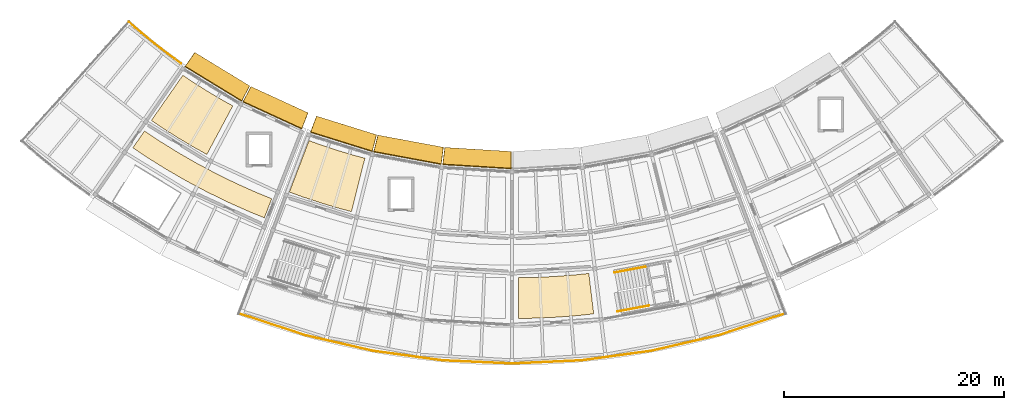
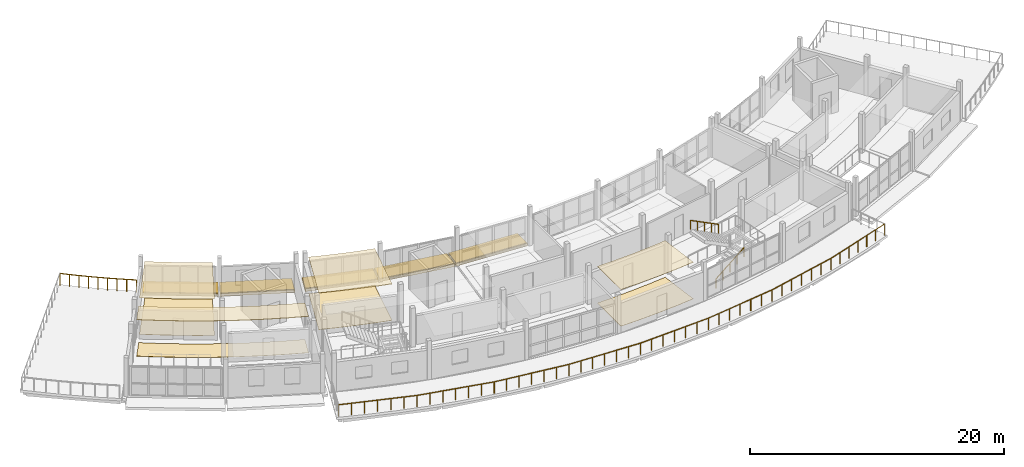
# One storey, part 22 of 24: 13 coverings, 5 shading devices, 4 railings.
"""IFC4 building model written with IfcOpenShell, lengths in metres."""

from ifc_helpers import new_model, si_unit, direction, frame, origin, origin_2d, place, context, subcontext, project, spatial, polyline, circle, outline, extrude, material, layer, layer_set, type_object, element, save


model = new_model("IFC4")

# Units and contexts
model_context = context("Model", 3, precision=1e-05, world=origin(), true_north=direction((0.0, 1.0)))
body_context = subcontext(model_context, "Body", "Model", "MODEL_VIEW")
ifc_project = project(units=[si_unit("LENGTHUNIT", "METRE"), si_unit("AREAUNIT", "SQUARE_METRE"), si_unit("VOLUMEUNIT", "CUBIC_METRE"), si_unit("PLANEANGLEUNIT", "RADIAN"), si_unit("MASSUNIT", "GRAM", prefix="KILO")], contexts=[model_context])

# Site, building, storey
site_placement = place(None, origin())
site = spatial("IfcSite", under=ifc_project, at=site_placement, CompositionType="ELEMENT")
building_placement = place(site_placement, origin())
building = spatial("IfcBuilding", under=site, at=building_placement, Name="Caldaven Crescent School", CompositionType="ELEMENT")
storey_placement = place(building_placement, frame((0.0, 0.0, 15.639892578125)))
storey = spatial("IfcBuildingStorey", under=building, at=storey_placement, Name="L04", CompositionType="ELEMENT", Elevation=15.639892578125)

# Coverings
ifc_material_1 = material(Name="White architectural GFRC precast concrete C35/45 cladding", Category="concrete")
ifc_layer_1 = layer(ifc_material_1, 0.260009765625)
ifc_layer_set_1 = layer_set([ifc_layer_1], Name="White architectural GFRC precast concrete C35/45 cladding")
covering_type_1 = type_object("IfcCoveringType", Name="COV-CLD1", PredefinedType="CLADDING", material=ifc_layer_set_1)
covering_1_placement = place(storey_placement, frame((0.0, 0.0, -0.260009765625)))
element("IfcCovering", 1, at=covering_1_placement, inside=storey, type_object=covering_type_1, Name="CLD-IN-L04-083", PredefinedType="CLADDING", context=body_context, shape_type="SweptSolid", body=[
    extrude(outline(polyline([(70.241943359375, 48.618408203125), (75.707275390625, 46.915771484375), (75.318603515625, 45.36376953125), (69.680419921875, 47.120361328125), (70.241943359375, 48.618408203125)])), origin(), (0.0, 0.0, 1.0), 0.260009765625),
])
covering_2_placement = place(storey_placement, frame((0.0, 0.0, -0.260009765625)))
element("IfcCovering", 2, at=covering_2_placement, inside=storey, type_object=covering_type_1, Name="CLD-IN-L04-084", PredefinedType="CLADDING", context=body_context, shape_type="SweptSolid", body=[
    extrude(outline(polyline([(75.81005859375, 46.89013671875), (81.78076171875, 45.78369140625), (81.584228515625, 44.19580078125), (75.4248046875, 45.33740234375), (75.81005859375, 46.89013671875)])), origin(), (0.0, 0.0, 1.0), 0.260009765625),
])
covering_3_placement = place(storey_placement, frame((0.0, 0.0, -0.260009765625)))
element("IfcCovering", 3, at=covering_3_placement, inside=storey, type_object=covering_type_1, Name="CLD-IN-L04-085", PredefinedType="CLADDING", context=body_context, shape_type="SweptSolid", body=[
    extrude(outline(polyline([(81.885986328125, 45.770751953125), (87.947021484375, 45.400146484375), (87.9453125, 43.800048828125), (81.692626953125, 44.182373046875), (81.885986328125, 45.770751953125)])), origin(), (0.0, 0.0, 1.0), 0.260009765625),
])
ifc_layer_2 = layer(ifc_material_1, 0.260009765625)
ifc_layer_set_2 = layer_set([ifc_layer_2], Name="White architectural GFRC precast concrete C35/45 cladding")
covering_type_2 = type_object("IfcCoveringType", Name="COV-CLD2", PredefinedType="CLADDING", material=ifc_layer_set_2)
covering_4_placement = place(storey_placement, frame((0.0, 0.0, -0.260009765625)))
element("IfcCovering", 4, at=covering_4_placement, inside=storey, type_object=covering_type_2, Name="CLD-IN-L04-079", PredefinedType="CLADDING", context=body_context, shape_type="SweptSolid", body=[
    extrude(outline(polyline([(59.190673828125, 54.402099609375), (64.197998046875, 51.34765625), (63.4453125, 49.935791015625), (58.27978515625, 53.086669921875), (59.190673828125, 54.402099609375)])), origin(), (0.0, 0.0, 1.0), 0.260009765625),
])
covering_5_placement = place(storey_placement, frame((0.0, 0.0, -0.260009765625)))
element("IfcCovering", 5, at=covering_5_placement, inside=storey, type_object=covering_type_2, Name="CLD-IN-L04-081", PredefinedType="CLADDING", context=body_context, shape_type="SweptSolid", body=[
    extrude(outline(polyline([(64.29150390625, 51.298095703125), (69.492431640625, 48.90625), (68.9072265625, 47.4169921875), (63.541748046875, 49.884521484375), (64.29150390625, 51.298095703125)])), origin(), (0.0, 0.0, 1.0), 0.260009765625),
])
ifc_material_2 = material(Name="Perforated Pino Radiata acoustic timber baffle ceiling", Category="wood")
ifc_layer_3 = layer(ifc_material_2, 0.030029296875)
ifc_layer_set_3 = layer_set([ifc_layer_3], Name="Perforated Pino Radiata acoustic timber baffle ceiling")
covering_type_3 = type_object("IfcCoveringType", Name="COV-CLG1", PredefinedType="CEILING", material=ifc_layer_set_3)
covering_6_placement = place(storey_placement, frame((0.0, 0.0, 3.5)))
element("IfcCovering", 6, at=covering_6_placement, inside=storey, type_object=covering_type_3, Name="CLG-L04-184", PredefinedType="CEILING", context=body_context, shape_type="SweptSolid", body=[
    extrude(outline(polyline([(59.024169921875, 51.705810546875), (59.035400390625, 51.698486328125), (60.338623046875, 50.873291015625), (60.349853515625, 50.8662109375), (61.6767578125, 50.07958984375), (61.688232421875, 50.072998046875), (62.64990234375, 49.540771484375), (60.29248046875, 45.131591796875), (59.196533203125, 45.73828125), (57.731689453125, 46.606689453125), (56.29296875, 47.517578125), (55.2548828125, 48.218505859375), (58.11328125, 52.32080078125), (59.024169921875, 51.705810546875)])), origin(), (0.0, 0.0, 1.0), 0.030029296875),
])
covering_7_placement = place(storey_placement, frame((0.0, 0.0, 3.510009765625)))
element("IfcCovering", 7, at=covering_7_placement, inside=storey, type_object=covering_type_3, Name="CLG-L04-192", PredefinedType="CEILING", context=body_context, shape_type="SweptSolid", body=[
    extrude(outline(polyline([(89.960205078125, 33.9609375), (89.973388671875, 33.96142578125), (91.78271484375, 34.04541015625), (91.7958984375, 34.046142578125), (93.60205078125, 34.183349609375), (93.614990234375, 34.1845703125), (94.9755859375, 34.328125), (95.41796875, 30.65478515625), (93.94287109375, 30.4990234375), (92.01513671875, 30.352783203125), (90.083984375, 30.26318359375), (88.600830078125, 30.23779296875), (88.59228515625, 33.937744140625), (89.960205078125, 33.9609375)])), origin(), (0.0, 0.0, 1.0), 0.030029296875),
])
ifc_layer_4 = layer(ifc_material_2, 0.053955078125)
ifc_layer_set_4 = layer_set([ifc_layer_4], Name="Perforated Pino Radiata acoustic timber baffle ceiling")
covering_type_4 = type_object("IfcCoveringType", Name="COV-CLG4", PredefinedType="CEILING", material=ifc_layer_set_4)
covering_8_placement = place(storey_placement, frame((0.0, 0.0, 3.47607421875)))
element("IfcCovering", 8, at=covering_8_placement, inside=storey, type_object=covering_type_4, Name="CLG-L04-183", PredefinedType="CEILING", context=body_context, shape_type="SweptSolid", body=[
    extrude(outline(polyline([(55.91748046875, 46.40185546875), (55.930419921875, 46.3935546875), (57.616455078125, 45.34326171875), (57.629638671875, 45.33544921875), (59.350341796875, 44.343017578125), (59.363525390625, 44.335693359375), (61.116943359375, 43.40185546875), (61.130615234375, 43.39501953125), (62.914306640625, 42.521240234375), (62.92822265625, 42.514892578125), (64.74072265625, 41.7021484375), (64.7548828125, 41.696044921875), (66.18408203125, 41.1123046875), (65.510498046875, 39.37890625), (64.015625, 39.9892578125), (62.131591796875, 40.833984375), (60.27734375, 41.7421875), (58.454833984375, 42.712646484375), (56.66650390625, 43.744140625), (54.9140625, 44.835693359375), (53.5732421875, 45.735595703125), (54.635498046875, 47.26220703125), (55.91748046875, 46.40185546875)])), origin(), (0.0, 0.0, 1.0), 0.053955078125),
])
covering_9_placement = place(storey_placement, frame((0.0, 0.0, 3.486083984375)))
element("IfcCovering", 9, at=covering_9_placement, inside=storey, type_object=covering_type_4, Name="CLG-L04-187", PredefinedType="CEILING", context=body_context, shape_type="SweptSolid", body=[
    extrude(outline(polyline([(70.6005859375, 46.01171875), (70.613037109375, 46.00732421875), (72.077392578125, 45.521728515625), (72.090087890625, 45.517822265625), (73.56787109375, 45.07568359375), (73.58056640625, 45.072021484375), (74.642333984375, 44.7880859375), (73.421630859375, 39.939453125), (72.21142578125, 40.26318359375), (70.580078125, 40.751220703125), (68.9638671875, 41.287109375), (67.78662109375, 41.716064453125), (69.56787109375, 46.38818359375), (70.6005859375, 46.01171875)])), origin(), (0.0, 0.0, 1.0), 0.053955078125),
])
ifc_material_3 = material(Name="Polished terrazzo and acoustic linoleum flooring")
ifc_layer_5 = layer(ifc_material_3, 0.02001953125)
ifc_layer_set_5 = layer_set([ifc_layer_5], Name="Polished terrazzo and acoustic linoleum flooring")
covering_type_5 = type_object("IfcCoveringType", Name="COV-FLR1", PredefinedType="FLOORING", material=ifc_layer_set_5)
covering_10_placement = place(storey_placement, origin())
element("IfcCovering", 10, at=covering_10_placement, inside=storey, type_object=covering_type_5, Name="FLR-L04-183", PredefinedType="FLOORING", context=body_context, shape_type="SweptSolid", body=[
    extrude(outline(polyline([(54.635498046875, 47.26220703125), (55.91748046875, 46.40185546875), (55.930419921875, 46.3935546875), (57.616455078125, 45.34326171875), (57.629638671875, 45.33544921875), (59.350341796875, 44.343017578125), (59.363525390625, 44.335693359375), (61.116943359375, 43.40185546875), (61.130615234375, 43.39501953125), (62.914306640625, 42.521240234375), (62.92822265625, 42.514892578125), (64.74072265625, 41.7021484375), (64.7548828125, 41.696044921875), (66.18408203125, 41.1123046875), (65.510498046875, 39.37890625), (64.015625, 39.9892578125), (62.131591796875, 40.833984375), (60.27734375, 41.7421875), (58.454833984375, 42.712646484375), (56.66650390625, 43.744140625), (54.9140625, 44.835693359375), (53.5732421875, 45.735595703125), (54.635498046875, 47.26220703125)])), origin(), (0.0, 0.0, 1.0), 0.02001953125),
])
covering_11_placement = place(storey_placement, origin())
element("IfcCovering", 11, at=covering_11_placement, inside=storey, type_object=covering_type_5, Name="FLR-L04-192", PredefinedType="FLOORING", context=body_context, shape_type="SweptSolid", body=[
    extrude(outline(polyline([(88.59228515625, 33.937744140625), (89.960205078125, 33.9609375), (89.973388671875, 33.96142578125), (91.78271484375, 34.04541015625), (91.7958984375, 34.046142578125), (93.60205078125, 34.183349609375), (93.614990234375, 34.1845703125), (94.9755859375, 34.328125), (95.41796875, 30.65478515625), (93.94287109375, 30.4990234375), (92.01513671875, 30.352783203125), (90.083984375, 30.26318359375), (88.600830078125, 30.23779296875), (88.59228515625, 33.937744140625)])), origin(), (0.0, 0.0, 1.0), 0.02001953125),
])
ifc_layer_6 = layer(ifc_material_3, 0.02587890625)
ifc_layer_set_6 = layer_set([ifc_layer_6], Name="Polished terrazzo and acoustic linoleum flooring")
covering_type_6 = type_object("IfcCoveringType", Name="COV-FLR2", PredefinedType="FLOORING", material=ifc_layer_set_6)
covering_12_placement = place(storey_placement, origin())
element("IfcCovering", 12, at=covering_12_placement, inside=storey, type_object=covering_type_6, Name="FLR-L04-184", PredefinedType="FLOORING", context=body_context, shape_type="SweptSolid", body=[
    extrude(outline(polyline([(58.11328125, 52.32080078125), (59.024169921875, 51.705810546875), (59.035400390625, 51.698486328125), (60.338623046875, 50.873291015625), (60.349853515625, 50.8662109375), (61.6767578125, 50.07958984375), (61.688232421875, 50.072998046875), (62.64990234375, 49.540771484375), (60.29248046875, 45.131591796875), (59.196533203125, 45.73828125), (57.731689453125, 46.606689453125), (56.29296875, 47.517578125), (55.2548828125, 48.218505859375), (58.11328125, 52.32080078125)])), origin(), (0.0, 0.0, 1.0), 0.026123046875),
])
covering_13_placement = place(storey_placement, origin())
element("IfcCovering", 13, at=covering_13_placement, inside=storey, type_object=covering_type_6, Name="FLR-L04-187", PredefinedType="FLOORING", context=body_context, shape_type="SweptSolid", body=[
    extrude(outline(polyline([(69.56787109375, 46.38818359375), (70.6005859375, 46.01171875), (70.613037109375, 46.00732421875), (72.077392578125, 45.521728515625), (72.090087890625, 45.517822265625), (73.56787109375, 45.07568359375), (73.58056640625, 45.072021484375), (74.642333984375, 44.7880859375), (73.421630859375, 39.939453125), (72.21142578125, 40.26318359375), (70.580078125, 40.751220703125), (68.9638671875, 41.287109375), (67.78662109375, 41.716064453125), (69.56787109375, 46.38818359375)])), origin(), (0.0, 0.0, 1.0), 0.026123046875),
])

# Railings
ifc_material_4 = material(Name="Galvanised powder-coated steel balustrade ASTM A572 Grade 50", Category="steel")
railing_type_1 = type_object("IfcRailingType", Name="RAL-EXT2", PredefinedType="BALUSTRADE", material=ifc_material_4)
railing_1_placement = place(storey_placement, frame((63.1943359375, 30.692138671875, 0.0)))
element("IfcRailing", 14, at=railing_1_placement, inside=storey, type_object=railing_type_1, Name="GD-BT-L04-C-OUT", PredefinedType="BALUSTRADE", context=body_context, shape_type="SweptSolid", body=[
    extrude(circle(Radius=0.02392578125, at=origin_2d()), frame((0.0, 0.0, 1.09619140625), z_axis=(0.949984900608, -0.312295835093, 0.0), x_axis=(0.312295835093, 0.949984900608, 0.0)), (0.0, 0.0, 1.0), 6.337646484375),
    extrude(circle(Radius=0.02392578125, at=origin_2d()), frame((6.020751953125, -1.979248046875, 1.09619140625), z_axis=(0.974381455628, -0.224901709483, 0.0), x_axis=(0.224901709483, 0.974381455628, 0.0)), (0.0, 0.0, 1.0), 6.33740234375),
    extrude(circle(Radius=0.02392578125, at=origin_2d()), frame((12.19580078125, -3.404541015625, 1.09619140625), z_axis=(0.990747466387, -0.135718303293, 0.0), x_axis=(0.135718303293, 0.990747466387, 0.0)), (0.0, 0.0, 1.0), 6.33740234375),
    extrude(circle(Radius=0.02392578125, at=origin_2d()), frame((18.474609375, -4.2646484375, 1.09619140625), z_axis=(0.99896981067, -0.045379702181, 0.0), x_axis=(0.045379702181, 0.99896981067, 0.0)), (0.0, 0.0, 1.0), 6.337646484375),
    extrude(circle(Radius=0.02392578125, at=origin_2d()), frame((24.8056640625, -4.55224609375, 1.09619140625), z_axis=(0.99896981067, 0.045379702181, 0.0), x_axis=(-0.045379702181, 0.99896981067, 0.0)), (0.0, 0.0, 1.0), 6.337646484375),
    extrude(circle(Radius=0.02392578125, at=origin_2d()), frame((31.13671875, -4.2646484375, 1.09619140625), z_axis=(0.990747466387, 0.135718303293, 0.0), x_axis=(-0.135718303293, 0.990747466387, 0.0)), (0.0, 0.0, 1.0), 6.33740234375),
    extrude(circle(Radius=0.02392578125, at=origin_2d()), frame((37.41552734375, -3.404541015625, 1.09619140625), z_axis=(0.974381455628, 0.224901709483, 0.0), x_axis=(-0.224901709483, 0.974381455628, 0.0)), (0.0, 0.0, 1.0), 6.33740234375),
    extrude(circle(Radius=0.02392578125, at=origin_2d()), frame((43.590576171875, -1.979248046875, 1.09619140625), z_axis=(0.949984900608, 0.312295835093, 0.0), x_axis=(-0.312295835093, 0.949984900608, 0.0)), (0.0, 0.0, 1.0), 6.337646484375),
    extrude(circle(Radius=0.02099609375, at=origin_2d()), origin(), (0.0, 0.0, 1.0), 1.072021484375),
    extrude(circle(Radius=0.02099609375, at=origin_2d()), frame((1.00341796875, -0.329833984375, 0.0)), (0.0, 0.0, 1.0), 1.072021484375),
    extrude(circle(Radius=0.02099609375, at=origin_2d()), frame((2.0068359375, -0.65966796875, 0.0)), (0.0, 0.0, 1.0), 1.072021484375),
    extrude(circle(Radius=0.02099609375, at=origin_2d()), frame((3.01025390625, -0.98974609375, 0.0)), (0.0, 0.0, 1.0), 1.072021484375),
    extrude(circle(Radius=0.02099609375, at=origin_2d()), frame((4.013916015625, -1.319580078125, 0.0)), (0.0, 0.0, 1.0), 1.072021484375),
    extrude(circle(Radius=0.02099609375, at=origin_2d()), frame((5.017333984375, -1.6494140625, 0.0)), (0.0, 0.0, 1.0), 1.072021484375),
    extrude(circle(Radius=0.02099609375, at=origin_2d()), frame((6.020751953125, -1.979248046875, 0.0)), (0.0, 0.0, 1.0), 1.072021484375),
    extrude(circle(Radius=0.02099609375, at=origin_2d()), frame((7.0498046875, -2.216796875, 0.0)), (0.0, 0.0, 1.0), 1.072021484375),
    extrude(circle(Radius=0.02099609375, at=origin_2d()), frame((8.0791015625, -2.454345703125, 0.0)), (0.0, 0.0, 1.0), 1.072021484375),
    extrude(circle(Radius=0.02099609375, at=origin_2d()), frame((9.1083984375, -2.69189453125, 0.0)), (0.0, 0.0, 1.0), 1.072021484375),
    extrude(circle(Radius=0.02099609375, at=origin_2d()), frame((10.137451171875, -2.929443359375, 0.0)), (0.0, 0.0, 1.0), 1.072021484375),
    extrude(circle(Radius=0.02099609375, at=origin_2d()), frame((11.16650390625, -3.1669921875, 0.0)), (0.0, 0.0, 1.0), 1.072021484375),
    extrude(circle(Radius=0.02099609375, at=origin_2d()), frame((12.19580078125, -3.404541015625, 0.0)), (0.0, 0.0, 1.0), 1.072021484375),
    extrude(circle(Radius=0.02099609375, at=origin_2d()), frame((13.2421875, -3.5478515625, 0.0)), (0.0, 0.0, 1.0), 1.072021484375),
    extrude(circle(Radius=0.02099609375, at=origin_2d()), frame((14.288818359375, -3.691162109375, 0.0)), (0.0, 0.0, 1.0), 1.072021484375),
    extrude(circle(Radius=0.02099609375, at=origin_2d()), frame((15.335205078125, -3.83447265625, 0.0)), (0.0, 0.0, 1.0), 1.072021484375),
    extrude(circle(Radius=0.02099609375, at=origin_2d()), frame((16.381591796875, -3.97802734375, 0.0)), (0.0, 0.0, 1.0), 1.072021484375),
    extrude(circle(Radius=0.02099609375, at=origin_2d()), frame((17.42822265625, -4.121337890625, 0.0)), (0.0, 0.0, 1.0), 1.072021484375),
    extrude(circle(Radius=0.02099609375, at=origin_2d()), frame((18.474609375, -4.2646484375, 0.0)), (0.0, 0.0, 1.0), 1.072021484375),
    extrude(circle(Radius=0.02099609375, at=origin_2d()), frame((19.52978515625, -4.3125, 0.0)), (0.0, 0.0, 1.0), 1.072021484375),
    extrude(circle(Radius=0.02099609375, at=origin_2d()), frame((20.5849609375, -4.360595703125, 0.0)), (0.0, 0.0, 1.0), 1.072021484375),
    extrude(circle(Radius=0.02099609375, at=origin_2d()), frame((21.64013671875, -4.408447265625, 0.0)), (0.0, 0.0, 1.0), 1.072021484375),
    extrude(circle(Radius=0.02099609375, at=origin_2d()), frame((22.6953125, -4.456298828125, 0.0)), (0.0, 0.0, 1.0), 1.072021484375),
    extrude(circle(Radius=0.02099609375, at=origin_2d()), frame((23.75048828125, -4.50439453125, 0.0)), (0.0, 0.0, 1.0), 1.072021484375),
    extrude(circle(Radius=0.02099609375, at=origin_2d()), frame((24.8056640625, -4.55224609375, 0.0)), (0.0, 0.0, 1.0), 1.072021484375),
    extrude(circle(Radius=0.02099609375, at=origin_2d()), frame((25.86083984375, -4.50439453125, 0.0)), (0.0, 0.0, 1.0), 1.072021484375),
    extrude(circle(Radius=0.02099609375, at=origin_2d()), frame((26.916015625, -4.456298828125, 0.0)), (0.0, 0.0, 1.0), 1.072021484375),
    extrude(circle(Radius=0.02099609375, at=origin_2d()), frame((27.97119140625, -4.408447265625, 0.0)), (0.0, 0.0, 1.0), 1.072021484375),
    extrude(circle(Radius=0.02099609375, at=origin_2d()), frame((29.0263671875, -4.360595703125, 0.0)), (0.0, 0.0, 1.0), 1.072021484375),
    extrude(circle(Radius=0.02099609375, at=origin_2d()), frame((30.08154296875, -4.3125, 0.0)), (0.0, 0.0, 1.0), 1.072021484375),
    extrude(circle(Radius=0.02099609375, at=origin_2d()), frame((31.13671875, -4.2646484375, 0.0)), (0.0, 0.0, 1.0), 1.072021484375),
    extrude(circle(Radius=0.02099609375, at=origin_2d()), frame((32.18310546875, -4.121337890625, 0.0)), (0.0, 0.0, 1.0), 1.072021484375),
    extrude(circle(Radius=0.02099609375, at=origin_2d()), frame((33.229736328125, -3.97802734375, 0.0)), (0.0, 0.0, 1.0), 1.072021484375),
    extrude(circle(Radius=0.02099609375, at=origin_2d()), frame((34.276123046875, -3.83447265625, 0.0)), (0.0, 0.0, 1.0), 1.072021484375),
    extrude(circle(Radius=0.02099609375, at=origin_2d()), frame((35.322509765625, -3.691162109375, 0.0)), (0.0, 0.0, 1.0), 1.072021484375),
    extrude(circle(Radius=0.02099609375, at=origin_2d()), frame((36.369140625, -3.5478515625, 0.0)), (0.0, 0.0, 1.0), 1.072021484375),
    extrude(circle(Radius=0.02099609375, at=origin_2d()), frame((37.41552734375, -3.404541015625, 0.0)), (0.0, 0.0, 1.0), 1.072021484375),
    extrude(circle(Radius=0.02099609375, at=origin_2d()), frame((38.44482421875, -3.1669921875, 0.0)), (0.0, 0.0, 1.0), 1.072021484375),
    extrude(circle(Radius=0.02099609375, at=origin_2d()), frame((39.473876953125, -2.929443359375, 0.0)), (0.0, 0.0, 1.0), 1.072021484375),
    extrude(circle(Radius=0.02099609375, at=origin_2d()), frame((40.5029296875, -2.69189453125, 0.0)), (0.0, 0.0, 1.0), 1.072021484375),
    extrude(circle(Radius=0.02099609375, at=origin_2d()), frame((41.5322265625, -2.454345703125, 0.0)), (0.0, 0.0, 1.0), 1.072021484375),
    extrude(circle(Radius=0.02099609375, at=origin_2d()), frame((42.5615234375, -2.216796875, 0.0)), (0.0, 0.0, 1.0), 1.072021484375),
    extrude(circle(Radius=0.02099609375, at=origin_2d()), frame((43.590576171875, -1.979248046875, 0.0)), (0.0, 0.0, 1.0), 1.072021484375),
    extrude(circle(Radius=0.02099609375, at=origin_2d()), frame((44.593994140625, -1.6494140625, 0.0)), (0.0, 0.0, 1.0), 1.072021484375),
    extrude(circle(Radius=0.02099609375, at=origin_2d()), frame((45.597412109375, -1.319580078125, 0.0)), (0.0, 0.0, 1.0), 1.072021484375),
    extrude(circle(Radius=0.02099609375, at=origin_2d()), frame((46.60107421875, -0.98974609375, 0.0)), (0.0, 0.0, 1.0), 1.072021484375),
    extrude(circle(Radius=0.02099609375, at=origin_2d()), frame((47.6044921875, -0.65966796875, 0.0)), (0.0, 0.0, 1.0), 1.072021484375),
    extrude(circle(Radius=0.02099609375, at=origin_2d()), frame((48.60791015625, -0.329833984375, 0.0)), (0.0, 0.0, 1.0), 1.072021484375),
    extrude(circle(Radius=0.02099609375, at=origin_2d()), frame((49.611328125, 0.0, 0.0)), (0.0, 0.0, 1.0), 1.072021484375),
])
railing_type_2 = type_object("IfcRailingType", Name="RAL-EXT4", PredefinedType="BALUSTRADE", material=ifc_material_4)
railing_2_placement = place(storey_placement, frame((53.200439453125, 57.17236328125, 0.0)))
element("IfcRailing", 15, at=railing_2_placement, inside=storey, type_object=railing_type_2, Name="GD-BT-L04-W-IN", PredefinedType="BALUSTRADE", context=body_context, shape_type="SweptSolid", body=[
    extrude(circle(Radius=0.02392578125, at=origin_2d()), frame((0.0, 0.0, 1.15576171875), z_axis=(0.749688050572, -0.66179137712, 0.0), x_axis=(0.66179137712, 0.749688050572, 0.0)), (0.0, 0.0, 1.0), 0.760986328125),
    extrude(circle(Radius=0.02392578125, at=origin_2d()), frame((0.570556640625, -0.503662109375, 1.15576171875), z_axis=(0.759098049094, -0.650976306683, 0.0), x_axis=(0.650976306683, 0.759098049094, 0.0)), (0.0, 0.0, 1.0), 0.760986328125),
    extrude(circle(Radius=0.02392578125, at=origin_2d()), frame((1.148193359375, -0.9990234375, 1.15576171875), z_axis=(0.768641837768, -0.639679392533, 0.0), x_axis=(0.639679392533, 0.768641837768, 0.0)), (0.0, 0.0, 1.0), 0.760986328125),
    extrude(circle(Radius=0.02392578125, at=origin_2d()), frame((1.733154296875, -1.48583984375, 1.15576171875), z_axis=(0.777603330043, -0.628755167856, 0.0), x_axis=(0.628755167856, 0.777603330043, 0.0)), (0.0, 0.0, 1.0), 0.760986328125),
    extrude(circle(Radius=0.02392578125, at=origin_2d()), frame((2.324951171875, -1.96435546875, 1.15576171875), z_axis=(0.786996971675, -0.616956859573, 0.0), x_axis=(0.616956859573, 0.786996971675, 0.0)), (0.0, 0.0, 1.0), 0.760986328125),
    extrude(circle(Radius=0.02392578125, at=origin_2d()), frame((2.923828125, -2.433837890625, 1.15576171875), z_axis=(0.795667336796, -0.605733843496, 0.0), x_axis=(0.605733843496, 0.795667336796, 0.0)), (0.0, 0.0, 1.0), 0.760986328125),
    extrude(circle(Radius=0.02392578125, at=origin_2d()), frame((3.529296875, -2.894775390625, 1.15576171875), z_axis=(0.804595976651, -0.593822628701, 0.0), x_axis=(0.593822628701, 0.804595976651, 0.0)), (0.0, 0.0, 1.0), 0.760986328125),
    extrude(circle(Radius=0.02392578125, at=origin_2d()), frame((4.1416015625, -3.3466796875, 1.15576171875), z_axis=(0.813234627272, -0.581935942356, 0.0), x_axis=(0.581935942356, 0.813234627272, 0.0)), (0.0, 0.0, 1.0), 0.760986328125),
    extrude(circle(Radius=0.02099609375, at=origin_2d()), origin(), (0.0, 0.0, 1.0), 1.1318359375),
    extrude(circle(Radius=0.02099609375, at=origin_2d()), frame((0.570556640625, -0.503662109375, 0.0)), (0.0, 0.0, 1.0), 1.1318359375),
    extrude(circle(Radius=0.02099609375, at=origin_2d()), frame((1.148193359375, -0.9990234375, 0.0)), (0.0, 0.0, 1.0), 1.1318359375),
    extrude(circle(Radius=0.02099609375, at=origin_2d()), frame((1.733154296875, -1.48583984375, 0.0)), (0.0, 0.0, 1.0), 1.1318359375),
    extrude(circle(Radius=0.02099609375, at=origin_2d()), frame((2.324951171875, -1.96435546875, 0.0)), (0.0, 0.0, 1.0), 1.1318359375),
    extrude(circle(Radius=0.02099609375, at=origin_2d()), frame((2.923828125, -2.433837890625, 0.0)), (0.0, 0.0, 1.0), 1.1318359375),
    extrude(circle(Radius=0.02099609375, at=origin_2d()), frame((3.529296875, -2.894775390625, 0.0)), (0.0, 0.0, 1.0), 1.1318359375),
    extrude(circle(Radius=0.02099609375, at=origin_2d()), frame((4.1416015625, -3.3466796875, 0.0)), (0.0, 0.0, 1.0), 1.1318359375),
    extrude(circle(Radius=0.02099609375, at=origin_2d()), frame((4.760498046875, -3.78955078125, 0.0)), (0.0, 0.0, 1.0), 1.1318359375),
])
ifc_material_5 = material(Name="Brushed stainless-steel continuous tubular handrail", Category="steel")
railing_type_3 = type_object("IfcRailingType", Name="RAL-HR1", PredefinedType="HANDRAIL", material=ifc_material_5)
railing_3_placement = place(storey_placement, frame((97.589111328125, 30.871826171875, 0.173095703125)))
element("IfcRailing", 16, at=railing_3_placement, inside=storey, type_object=railing_type_3, Name="HR-ST3-L04-F1", PredefinedType="HANDRAIL", context=body_context, shape_type="SweptSolid", body=[
    extrude(circle(Radius=0.02392578125, at=origin_2d()), frame((0.0, 0.0, 0.85595703125), z_axis=(0.848265297383, 0.157234106921, 0.50569103302), x_axis=(-0.18225505464, 0.98325128785, 0.0)), (0.0, 0.0, 1.0), 3.361572265625),
    extrude(circle(Radius=0.02099609375, at=origin_2d()), origin(), (0.0, 0.0, 1.0), 0.831787109375),
    extrude(circle(Radius=0.02099609375, at=origin_2d()), frame((0.712890625, 0.132080078125, 0.425048828125)), (0.0, 0.0, 1.0), 0.831787109375),
    extrude(circle(Radius=0.02099609375, at=origin_2d()), frame((1.42578125, 0.26416015625, 0.85009765625)), (0.0, 0.0, 1.0), 0.831787109375),
    extrude(circle(Radius=0.02099609375, at=origin_2d()), frame((2.138671875, 0.396484375, 1.27490234375)), (0.0, 0.0, 1.0), 0.831787109375),
    extrude(circle(Radius=0.02099609375, at=origin_2d()), frame((2.8515625, 0.528564453125, 1.699951171875)), (0.0, 0.0, 1.0), 0.831787109375),
])
railing_4_placement = place(storey_placement, frame((100.1708984375, 34.9404296875, 2.043212890625)))
element("IfcRailing", 17, at=railing_4_placement, inside=storey, type_object=railing_type_3, Name="HR-ST3-L04-F2", PredefinedType="HANDRAIL", context=body_context, shape_type="SweptSolid", body=[
    extrude(circle(Radius=0.02392578125, at=origin_2d()), frame((0.0, 0.0, 0.85595703125), z_axis=(-0.848254613383, -0.157172958589, 0.50572796241), x_axis=(0.182188747239, -0.98326357625, 0.0)), (0.0, 0.0, 1.0), 3.361328125),
    extrude(circle(Radius=0.02099609375, at=origin_2d()), origin(), (0.0, 0.0, 1.0), 0.831787109375),
    extrude(circle(Radius=0.02099609375, at=origin_2d()), frame((-0.712890625, -0.132080078125, 0.425048828125)), (0.0, 0.0, 1.0), 0.831787109375),
    extrude(circle(Radius=0.02099609375, at=origin_2d()), frame((-1.42578125, -0.26416015625, 0.85009765625)), (0.0, 0.0, 1.0), 0.831787109375),
    extrude(circle(Radius=0.02099609375, at=origin_2d()), frame((-2.138427734375, -0.396240234375, 1.27490234375)), (0.0, 0.0, 1.0), 0.831787109375),
    extrude(circle(Radius=0.02099609375, at=origin_2d()), frame((-2.851318359375, -0.5283203125, 1.699951171875)), (0.0, 0.0, 1.0), 0.831787109375),
])

# Shading devices
ifc_material_6 = material(Name="Precast concrete C35/45", Category="concrete")
ifc_layer_7 = layer(ifc_material_6, 0.139892578125)
ifc_layer_set_7 = layer_set([ifc_layer_7], Name="Precast concrete C35/45")
shading_device_type_1 = type_object("IfcShadingDeviceType", Name="SHD-S01", PredefinedType="AWNING", material=ifc_layer_set_7)
shading_device_1_placement = place(storey_placement, frame((0.0, 0.0, -0.139892578125)))
element("IfcShadingDevice", 18, at=shading_device_1_placement, inside=storey, type_object=shading_device_type_1, Name="SHD-LDG-L04-063", PredefinedType="AWNING", context=body_context, shape_type="SweptSolid", body=[
    extrude(outline(polyline([(70.25830078125, 48.6123046875), (75.690185546875, 46.920166015625), (75.3203125, 45.44580078125), (69.7255859375, 47.188720703125), (70.25830078125, 48.6123046875)])), origin(), (0.0, 0.0, 1.0), 0.139892578125),
])
shading_device_2_placement = place(storey_placement, frame((0.0, 0.0, -0.139892578125)))
element("IfcShadingDevice", 19, at=shading_device_2_placement, inside=storey, type_object=shading_device_type_1, Name="SHD-LDG-L04-064", PredefinedType="AWNING", context=body_context, shape_type="SweptSolid", body=[
    extrude(outline(polyline([(75.827392578125, 46.885986328125), (81.76318359375, 45.785888671875), (81.575927734375, 44.27734375), (75.461669921875, 45.41064453125), (75.827392578125, 46.885986328125)])), origin(), (0.0, 0.0, 1.0), 0.139892578125),
])
shading_device_3_placement = place(storey_placement, frame((0.0, 0.0, -0.139892578125)))
element("IfcShadingDevice", 20, at=shading_device_3_placement, inside=storey, type_object=shading_device_type_1, Name="SHD-LDG-L04-065", PredefinedType="AWNING", context=body_context, shape_type="SweptSolid", body=[
    extrude(outline(polyline([(81.903564453125, 45.7685546875), (87.929443359375, 45.400146484375), (87.92724609375, 43.880126953125), (81.720458984375, 44.259765625), (81.903564453125, 45.7685546875)])), origin(), (0.0, 0.0, 1.0), 0.139892578125),
])
ifc_layer_8 = layer(ifc_material_6, 0.1201171875)
ifc_layer_set_8 = layer_set([ifc_layer_8], Name="Precast concrete C35/45")
shading_device_type_2 = type_object("IfcShadingDeviceType", Name="SHD-S03", PredefinedType="AWNING", material=ifc_layer_set_8)
shading_device_4_placement = place(storey_placement, frame((0.0, 0.0, -0.119873046875)))
element("IfcShadingDevice", 21, at=shading_device_4_placement, inside=storey, type_object=shading_device_type_2, Name="SHD-LDG-L04-061", PredefinedType="AWNING", context=body_context, shape_type="SweptSolid", body=[
    extrude(outline(polyline([(59.205322265625, 54.39208984375), (64.182373046875, 51.35595703125), (63.466796875, 50.014892578125), (58.34033203125, 53.14208984375), (59.205322265625, 54.39208984375)])), origin(), (0.0, 0.0, 1.0), 0.119873046875),
])
shading_device_5_placement = place(storey_placement, frame((0.0, 0.0, -0.119873046875)))
element("IfcShadingDevice", 22, at=shading_device_5_placement, inside=storey, type_object=shading_device_type_2, Name="SHD-LDG-L04-062", PredefinedType="AWNING", context=body_context, shape_type="SweptSolid", body=[
    extrude(outline(polyline([(64.30712890625, 51.289794921875), (69.47607421875, 48.91259765625), (68.91943359375, 47.498046875), (63.595458984375, 49.946533203125), (64.30712890625, 51.289794921875)])), origin(), (0.0, 0.0, 1.0), 0.119873046875),
])

save(model, "model.ifc")
